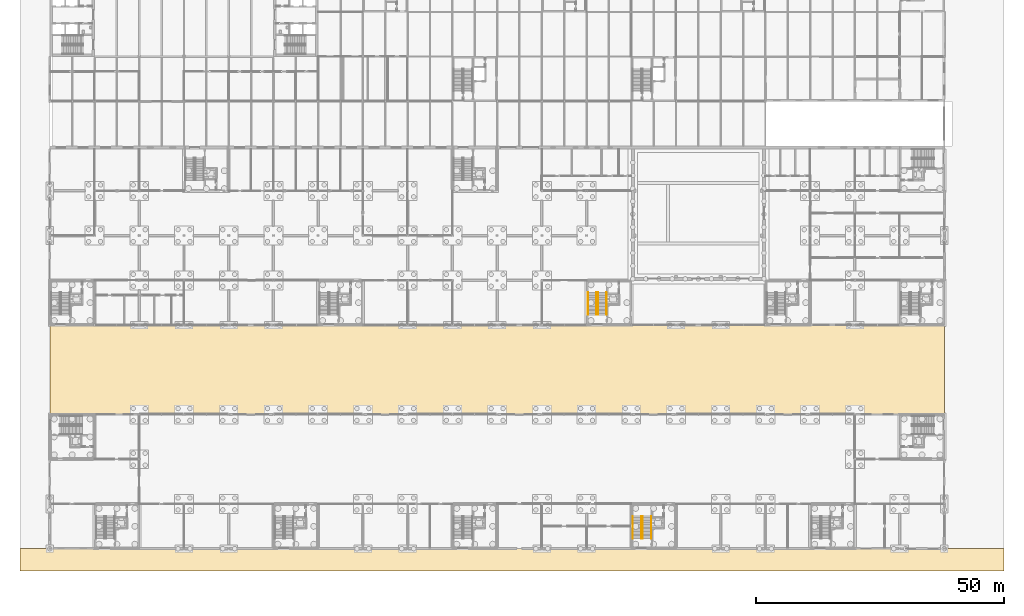
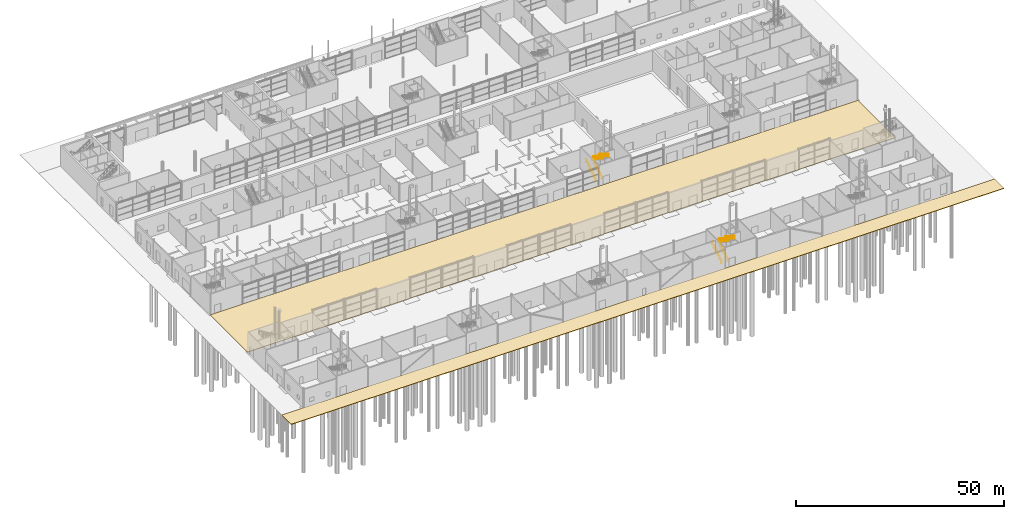
# One storey, part 93 of 97: 8 railings, 2 coverings.
"""IFC4 building model written with IfcOpenShell, lengths in metres."""

from ifc_helpers import new_model, si_unit, direction, frame, origin, origin_2d, place, context, subcontext, project, spatial, polyline, circle, outline, extrude, material, layer, layer_set, type_object, element, save


model = new_model("IFC4")

# Units and contexts
model_context = context("Model", 3, precision=1e-05, world=origin(), true_north=direction((0.0, 1.0)))
body_context = subcontext(model_context, "Body", "Model", "MODEL_VIEW")
ifc_project = project(units=[si_unit("LENGTHUNIT", "METRE"), si_unit("AREAUNIT", "SQUARE_METRE"), si_unit("VOLUMEUNIT", "CUBIC_METRE"), si_unit("PLANEANGLEUNIT", "RADIAN"), si_unit("MASSUNIT", "GRAM", prefix="KILO")], contexts=[model_context])

# Site, building, storey
site_placement = place(None, origin())
site = spatial("IfcSite", under=ifc_project, at=site_placement, CompositionType="ELEMENT")
building_placement = place(site_placement, origin())
building = spatial("IfcBuilding", under=site, at=building_placement, Name="Corbel Yard City Hall", CompositionType="ELEMENT")
storey_placement = place(building_placement, origin())
storey = spatial("IfcBuildingStorey", under=building, at=storey_placement, Name="L00", CompositionType="ELEMENT", Elevation=0.0)

# Railings
ifc_material_1 = material(Name="Stainless steel Grade 316", Category="steel")
railing_type = type_object("IfcRailingType", Name="HR1", PredefinedType="HANDRAIL", material=ifc_material_1)
for number, where, name in (
    (1, (117.300048828125, 2.050048828125, 0.176513671875), "Exit stair handrail"),
    (2, (119.0, 2.050048828125, 0.176513671875), "Exit stair handrail"),
):
    element("IfcRailing", number, at=place(storey_placement, frame(where)), inside=storey, type_object=railing_type, Name=name, PredefinedType="HANDRAIL", context=body_context, shape_type="SweptSolid", body=[
        extrude(circle(Radius=0.02392578125, at=origin_2d()), frame((0.0, 0.0, 0.8759765625), z_axis=(0.0, 0.845997938375, 0.533186166611), x_axis=(-1.0, 0.0, 0.0)), (0.0, 0.0, 1.0), 5.29541015625),
        extrude(circle(Radius=0.02099609375, at=origin_2d()), origin(), (0.0, 0.0, 1.0), 0.851806640625),
        extrude(circle(Radius=0.02099609375, at=origin_2d()), frame((0.0, 0.89599609375, 0.564697265625)), (0.0, 0.0, 1.0), 0.851806640625),
        extrude(circle(Radius=0.02099609375, at=origin_2d()), frame((0.0, 1.7919921875, 1.12939453125)), (0.0, 0.0, 1.0), 0.851806640625),
        extrude(circle(Radius=0.02099609375, at=origin_2d()), frame((0.0, 2.68798828125, 1.694091796875)), (0.0, 0.0, 1.0), 0.851806640625),
        extrude(circle(Radius=0.02099609375, at=origin_2d()), frame((0.0, 3.583984375, 2.2587890625)), (0.0, 0.0, 1.0), 0.851806640625),
        extrude(circle(Radius=0.02099609375, at=origin_2d()), frame((0.0, 4.47998046875, 2.823486328125)), (0.0, 0.0, 1.0), 0.851806640625),
    ])
for number, where, name in (
    (3, (119.300048828125, 6.530029296875, 3.176513671875), "Exit stair handrail"),
    (4, (121.0, 6.530029296875, 3.176513671875), "Exit stair handrail"),
):
    element("IfcRailing", number, at=place(storey_placement, frame(where)), inside=storey, type_object=railing_type, Name=name, PredefinedType="HANDRAIL", context=body_context, shape_type="SweptSolid", body=[
        extrude(circle(Radius=0.02392578125, at=origin_2d()), frame((0.0, 0.0, 0.8759765625), z_axis=(0.0, -0.845997938375, 0.533186166611), x_axis=(1.0, 0.0, 0.0)), (0.0, 0.0, 1.0), 5.29541015625),
        extrude(circle(Radius=0.02099609375, at=origin_2d()), origin(), (0.0, 0.0, 1.0), 0.851806640625),
        extrude(circle(Radius=0.02099609375, at=origin_2d()), frame((0.0, -0.89599609375, 0.564697265625)), (0.0, 0.0, 1.0), 0.851806640625),
        extrude(circle(Radius=0.02099609375, at=origin_2d()), frame((0.0, -1.7919921875, 1.12939453125)), (0.0, 0.0, 1.0), 0.851806640625),
        extrude(circle(Radius=0.02099609375, at=origin_2d()), frame((0.0, -2.68798828125, 1.694091796875)), (0.0, 0.0, 1.0), 0.851806640625),
        extrude(circle(Radius=0.02099609375, at=origin_2d()), frame((0.0, -3.583984375, 2.2587890625)), (0.0, 0.0, 1.0), 0.851806640625),
        extrude(circle(Radius=0.02099609375, at=origin_2d()), frame((0.0, -4.47998046875, 2.823486328125)), (0.0, 0.0, 1.0), 0.851806640625),
    ])
for number, where, name in (
    (5, (108.300048828125, 47.050048828125, 0.176513671875), "Exit stair handrail"),
    (6, (110.0, 47.050048828125, 0.176513671875), "Exit stair handrail"),
):
    element("IfcRailing", number, at=place(storey_placement, frame(where)), inside=storey, type_object=railing_type, Name=name, PredefinedType="HANDRAIL", context=body_context, shape_type="SweptSolid", body=[
        extrude(circle(Radius=0.02392578125, at=origin_2d()), frame((0.0, 0.0, 0.8759765625), z_axis=(0.0, 0.845997938375, 0.533186166611), x_axis=(-1.0, 0.0, 0.0)), (0.0, 0.0, 1.0), 5.29541015625),
        extrude(circle(Radius=0.02099609375, at=origin_2d()), origin(), (0.0, 0.0, 1.0), 0.851806640625),
        extrude(circle(Radius=0.02099609375, at=origin_2d()), frame((0.0, 0.89599609375, 0.564697265625)), (0.0, 0.0, 1.0), 0.851806640625),
        extrude(circle(Radius=0.02099609375, at=origin_2d()), frame((0.0, 1.7919921875, 1.12939453125)), (0.0, 0.0, 1.0), 0.851806640625),
        extrude(circle(Radius=0.02099609375, at=origin_2d()), frame((0.0, 2.68798828125, 1.694091796875)), (0.0, 0.0, 1.0), 0.851806640625),
        extrude(circle(Radius=0.02099609375, at=origin_2d()), frame((0.0, 3.583984375, 2.2587890625)), (0.0, 0.0, 1.0), 0.851806640625),
        extrude(circle(Radius=0.02099609375, at=origin_2d()), frame((0.0, 4.47998046875, 2.823486328125)), (0.0, 0.0, 1.0), 0.851806640625),
    ])
for number, where, name in (
    (7, (110.300048828125, 51.530029296875, 3.176513671875), "Exit stair handrail"),
    (8, (112.0, 51.530029296875, 3.176513671875), "Exit stair handrail"),
):
    element("IfcRailing", number, at=place(storey_placement, frame(where)), inside=storey, type_object=railing_type, Name=name, PredefinedType="HANDRAIL", context=body_context, shape_type="SweptSolid", body=[
        extrude(circle(Radius=0.02392578125, at=origin_2d()), frame((0.0, 0.0, 0.8759765625), z_axis=(0.0, -0.845997938375, 0.533186166611), x_axis=(1.0, 0.0, 0.0)), (0.0, 0.0, 1.0), 5.29541015625),
        extrude(circle(Radius=0.02099609375, at=origin_2d()), origin(), (0.0, 0.0, 1.0), 0.851806640625),
        extrude(circle(Radius=0.02099609375, at=origin_2d()), frame((0.0, -0.89599609375, 0.564697265625)), (0.0, 0.0, 1.0), 0.851806640625),
        extrude(circle(Radius=0.02099609375, at=origin_2d()), frame((0.0, -1.7919921875, 1.12939453125)), (0.0, 0.0, 1.0), 0.851806640625),
        extrude(circle(Radius=0.02099609375, at=origin_2d()), frame((0.0, -2.68798828125, 1.694091796875)), (0.0, 0.0, 1.0), 0.851806640625),
        extrude(circle(Radius=0.02099609375, at=origin_2d()), frame((0.0, -3.583984375, 2.2587890625)), (0.0, 0.0, 1.0), 0.851806640625),
        extrude(circle(Radius=0.02099609375, at=origin_2d()), frame((0.0, -4.47998046875, 2.823486328125)), (0.0, 0.0, 1.0), 0.851806640625),
    ])

# Coverings
ifc_material_2 = material(Name="Concrete N40 (40 MPa)", Category="concrete")
ifc_layer = layer(ifc_material_2, 0.14990234375)
ifc_layer_set = layer_set([ifc_layer], Name="Concrete N40 (40 MPa)")
covering_type = type_object("IfcCoveringType", Name="PV1", PredefinedType="USERDEFINED", material=ifc_layer_set)
covering_1_placement = place(storey_placement, frame((0.0, 0.0, -0.14990234375)))
element("IfcCovering", 9, at=covering_1_placement, inside=storey, type_object=covering_type, Name="Court paving", ObjectType="PAVING", PredefinedType="USERDEFINED", context=body_context, shape_type="SweptSolid", body=[
    extrude(outline(polyline([(0.0, 27.0), (180.0, 27.0), (180.0, 45.0), (0.0, 45.0), (0.0, 27.0)])), origin(), (0.0, 0.0, 1.0), 0.14990234375),
])
covering_2_placement = place(storey_placement, frame((0.0, 0.0, -0.14990234375)))
element("IfcCovering", 10, at=covering_2_placement, inside=storey, type_object=covering_type, Name="Rail lane paving", ObjectType="PAVING", PredefinedType="USERDEFINED", context=body_context, shape_type="SweptSolid", body=[
    extrude(outline(polyline([(-6.0, -4.5), (192.0, -4.5), (192.0, 0.0), (-6.0, 0.0), (-6.0, -4.5)])), origin(), (0.0, 0.0, 1.0), 0.14990234375),
])

save(model, "model.ifc")
